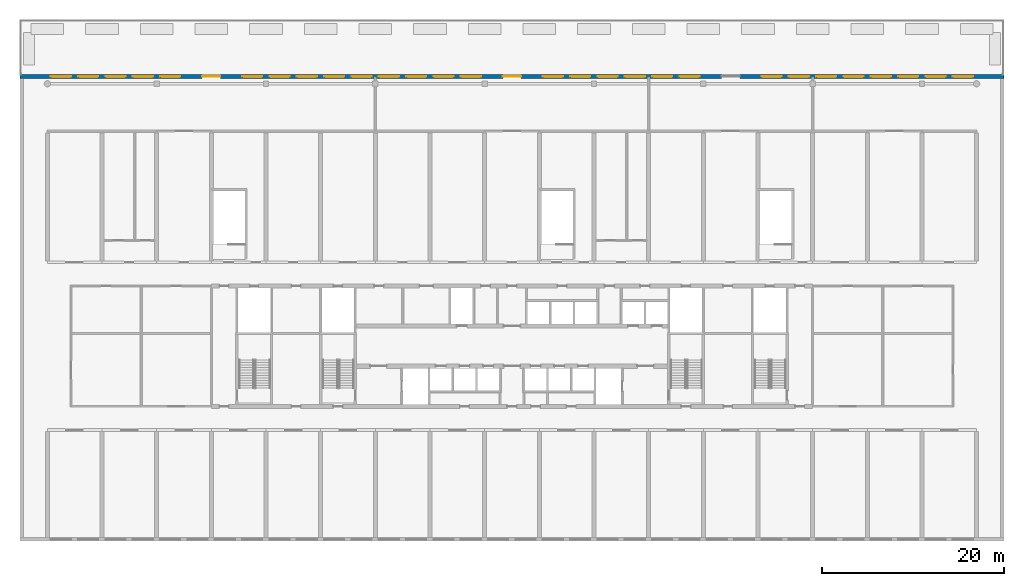
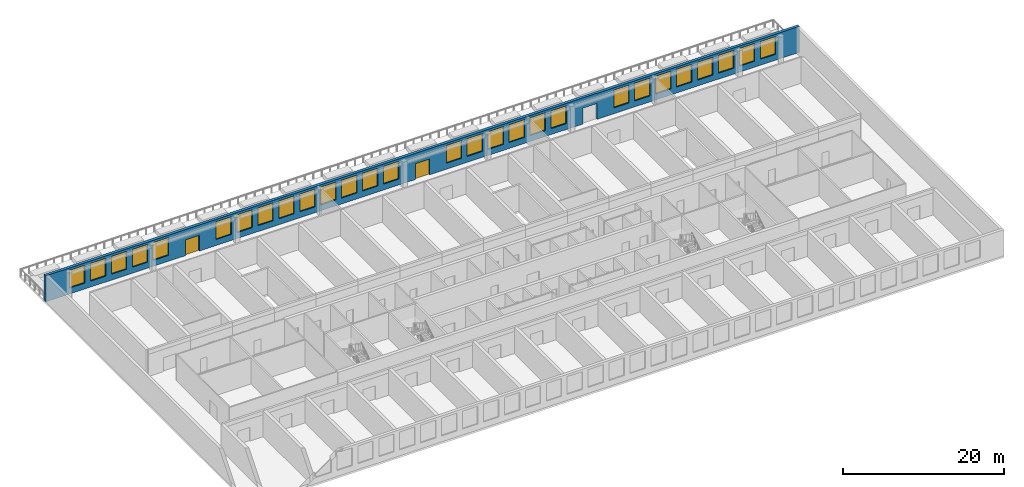
# One storey, part 8 of 15: 28 windows, 2 doors, 1 wall, 31 openings.
"""IFC4 building model written with IfcOpenShell, lengths in metres."""

from ifc_helpers import new_model, si_unit, direction, frame, frame_2d, origin, place, context, subcontext, project, spatial, rectangle, extrude, material, layer, layer_set, type_object, element, fill, save


model = new_model("IFC4")

# Units and contexts
model_context = context("Model", 3, precision=1e-05, world=origin(), true_north=direction((0.0, 1.0)))
body_context = subcontext(model_context, "Body", "Model", "MODEL_VIEW")
ifc_project = project(units=[si_unit("LENGTHUNIT", "METRE"), si_unit("AREAUNIT", "SQUARE_METRE"), si_unit("VOLUMEUNIT", "CUBIC_METRE"), si_unit("PLANEANGLEUNIT", "RADIAN"), si_unit("MASSUNIT", "GRAM", prefix="KILO")], contexts=[model_context])

# Site, building, storey
site_placement = place(None, origin())
site = spatial("IfcSite", under=ifc_project, at=site_placement, CompositionType="ELEMENT")
building_placement = place(site_placement, origin())
building = spatial("IfcBuilding", under=site, at=building_placement, Name="Poui Terraces", CompositionType="ELEMENT")
storey_placement = place(building_placement, frame((0.0, 0.0, 19.199951171875)))
storey = spatial("IfcBuildingStorey", under=building, at=storey_placement, Name="L04", CompositionType="ELEMENT", Elevation=19.199951171875)

# Wall, openings, doors, windows
ifc_material_1 = material(Name="Precast concrete 40 MPa", Category="concrete")
ifc_layer = layer(ifc_material_1, 0.39990234375)
ifc_layer_set = layer_set([ifc_layer], Name="Precast concrete 40 MPa")
wall_type = type_object("IfcWallType", Name="EXTERNAL WALL 400", PredefinedType="STANDARD", material=ifc_layer_set)
wall_placement = place(storey_placement, frame((105.0, 50.800048828125, 0.0), z_axis=(0.0, 0.0, 1.0), x_axis=(-1.0, 0.0, 0.0)))
wall = element("IfcWall", 1, at=wall_placement, inside=storey, type_object=wall_type, Name="EXTERNAL WALL N", PredefinedType="STANDARD", context=body_context, shape_type="SweptSolid", body=[
    extrude(rectangle(XDim=108.0, YDim=0.39990234375, at=frame_2d((54.0, 0.0))), origin(), (0.0, 0.0, 1.0), 3.949951171875),
])
opening_1_placement = place(wall_placement, frame((102.39990234375, 0.0, 0.89990234375)))
opening_1 = element("IfcOpeningElement", 2, at=opening_1_placement, cuts=wall, Name="Opening W4", PredefinedType="OPENING", context=body_context, shape_type="SweptSolid", body=[
    extrude(rectangle(XDim=2.199951171875, YDim=2.699951171875, at=frame_2d((1.10009765625, 1.35009765625))), frame((0.0, 0.2099609375, 0.0), z_axis=(0.0, -1.0, 0.0), x_axis=(1.0, 0.0, 0.0)), (0.0, 0.0, 1.0), 0.419921875),
])
opening_2_placement = place(wall_placement, frame((99.39990234375, 0.0, 0.89990234375)))
opening_2 = element("IfcOpeningElement", 3, at=opening_2_placement, cuts=wall, Name="Opening W4", PredefinedType="OPENING", context=body_context, shape_type="SweptSolid", body=[
    extrude(rectangle(XDim=2.199951171875, YDim=2.699951171875, at=frame_2d((1.10009765625, 1.35009765625))), frame((0.0, 0.2099609375, 0.0), z_axis=(0.0, -1.0, 0.0), x_axis=(1.0, 0.0, 0.0)), (0.0, 0.0, 1.0), 0.419921875),
])
opening_3_placement = place(wall_placement, frame((96.39990234375, 0.0, 0.89990234375)))
opening_3 = element("IfcOpeningElement", 4, at=opening_3_placement, cuts=wall, Name="Opening W4", PredefinedType="OPENING", context=body_context, shape_type="SweptSolid", body=[
    extrude(rectangle(XDim=2.199951171875, YDim=2.699951171875, at=frame_2d((1.10009765625, 1.35009765625))), frame((0.0, 0.2099609375, 0.0), z_axis=(0.0, -1.0, 0.0), x_axis=(1.0, 0.0, 0.0)), (0.0, 0.0, 1.0), 0.419921875),
])
opening_4_placement = place(wall_placement, frame((93.39990234375, 0.0, 0.89990234375)))
opening_4 = element("IfcOpeningElement", 5, at=opening_4_placement, cuts=wall, Name="Opening W4", PredefinedType="OPENING", context=body_context, shape_type="SweptSolid", body=[
    extrude(rectangle(XDim=2.199951171875, YDim=2.699951171875, at=frame_2d((1.10009765625, 1.35009765625))), frame((0.0, 0.2099609375, 0.0), z_axis=(0.0, -1.0, 0.0), x_axis=(1.0, 0.0, 0.0)), (0.0, 0.0, 1.0), 0.419921875),
])
opening_5_placement = place(wall_placement, frame((90.39990234375, 0.0, 0.89990234375)))
opening_5 = element("IfcOpeningElement", 6, at=opening_5_placement, cuts=wall, Name="Opening W4", PredefinedType="OPENING", context=body_context, shape_type="SweptSolid", body=[
    extrude(rectangle(XDim=2.199951171875, YDim=2.699951171875, at=frame_2d((1.10009765625, 1.35009765625))), frame((0.0, 0.2099609375, 0.0), z_axis=(0.0, -1.0, 0.0), x_axis=(1.0, 0.0, 0.0)), (0.0, 0.0, 1.0), 0.419921875),
])
opening_6_placement = place(wall_placement, frame((81.39990234375, 0.0, 0.89990234375)))
opening_6 = element("IfcOpeningElement", 7, at=opening_6_placement, cuts=wall, Name="Opening W4", PredefinedType="OPENING", context=body_context, shape_type="SweptSolid", body=[
    extrude(rectangle(XDim=2.199951171875, YDim=2.699951171875, at=frame_2d((1.10009765625, 1.35009765625))), frame((0.0, 0.2099609375, 0.0), z_axis=(0.0, -1.0, 0.0), x_axis=(1.0, 0.0, 0.0)), (0.0, 0.0, 1.0), 0.419921875),
])
opening_7_placement = place(wall_placement, frame((78.39990234375, 0.0, 0.89990234375)))
opening_7 = element("IfcOpeningElement", 8, at=opening_7_placement, cuts=wall, Name="Opening W4", PredefinedType="OPENING", context=body_context, shape_type="SweptSolid", body=[
    extrude(rectangle(XDim=2.199951171875, YDim=2.699951171875, at=frame_2d((1.10009765625, 1.35009765625))), frame((0.0, 0.2099609375, 0.0), z_axis=(0.0, -1.0, 0.0), x_axis=(1.0, 0.0, 0.0)), (0.0, 0.0, 1.0), 0.419921875),
])
opening_8_placement = place(wall_placement, frame((75.39990234375, 0.0, 0.89990234375)))
opening_8 = element("IfcOpeningElement", 9, at=opening_8_placement, cuts=wall, Name="Opening W4", PredefinedType="OPENING", context=body_context, shape_type="SweptSolid", body=[
    extrude(rectangle(XDim=2.199951171875, YDim=2.699951171875, at=frame_2d((1.10009765625, 1.35009765625))), frame((0.0, 0.2099609375, 0.0), z_axis=(0.0, -1.0, 0.0), x_axis=(1.0, 0.0, 0.0)), (0.0, 0.0, 1.0), 0.419921875),
])
opening_9_placement = place(wall_placement, frame((72.39990234375, 0.0, 0.89990234375)))
opening_9 = element("IfcOpeningElement", 10, at=opening_9_placement, cuts=wall, Name="Opening W4", PredefinedType="OPENING", context=body_context, shape_type="SweptSolid", body=[
    extrude(rectangle(XDim=2.199951171875, YDim=2.699951171875, at=frame_2d((1.10009765625, 1.35009765625))), frame((0.0, 0.2099609375, 0.0), z_axis=(0.0, -1.0, 0.0), x_axis=(1.0, 0.0, 0.0)), (0.0, 0.0, 1.0), 0.419921875),
])
opening_10_placement = place(wall_placement, frame((69.39990234375, 0.0, 0.89990234375)))
opening_10 = element("IfcOpeningElement", 11, at=opening_10_placement, cuts=wall, Name="Opening W4", PredefinedType="OPENING", context=body_context, shape_type="SweptSolid", body=[
    extrude(rectangle(XDim=2.199951171875, YDim=2.699951171875, at=frame_2d((1.10009765625, 1.35009765625))), frame((0.0, 0.2099609375, 0.0), z_axis=(0.0, -1.0, 0.0), x_axis=(1.0, 0.0, 0.0)), (0.0, 0.0, 1.0), 0.419921875),
])
opening_11_placement = place(wall_placement, frame((66.39990234375, 0.0, 0.89990234375)))
opening_11 = element("IfcOpeningElement", 12, at=opening_11_placement, cuts=wall, Name="Opening W4", PredefinedType="OPENING", context=body_context, shape_type="SweptSolid", body=[
    extrude(rectangle(XDim=2.199951171875, YDim=2.699951171875, at=frame_2d((1.10009765625, 1.35009765625))), frame((0.0, 0.2099609375, 0.0), z_axis=(0.0, -1.0, 0.0), x_axis=(1.0, 0.0, 0.0)), (0.0, 0.0, 1.0), 0.419921875),
])
opening_12_placement = place(wall_placement, frame((63.39990234375, 0.0, 0.89990234375)))
opening_12 = element("IfcOpeningElement", 13, at=opening_12_placement, cuts=wall, Name="Opening W4", PredefinedType="OPENING", context=body_context, shape_type="SweptSolid", body=[
    extrude(rectangle(XDim=2.199951171875, YDim=2.699951171875, at=frame_2d((1.10009765625, 1.35009765625))), frame((0.0, 0.2099609375, 0.0), z_axis=(0.0, -1.0, 0.0), x_axis=(1.0, 0.0, 0.0)), (0.0, 0.0, 1.0), 0.419921875),
])
opening_13_placement = place(wall_placement, frame((60.39990234375, 0.0, 0.89990234375)))
opening_13 = element("IfcOpeningElement", 14, at=opening_13_placement, cuts=wall, Name="Opening W4", PredefinedType="OPENING", context=body_context, shape_type="SweptSolid", body=[
    extrude(rectangle(XDim=2.199951171875, YDim=2.699951171875, at=frame_2d((1.10009765625, 1.35009765625))), frame((0.0, 0.2099609375, 0.0), z_axis=(0.0, -1.0, 0.0), x_axis=(1.0, 0.0, 0.0)), (0.0, 0.0, 1.0), 0.419921875),
])
opening_14_placement = place(wall_placement, frame((57.39990234375, 0.0, 0.89990234375)))
opening_14 = element("IfcOpeningElement", 15, at=opening_14_placement, cuts=wall, Name="Opening W4", PredefinedType="OPENING", context=body_context, shape_type="SweptSolid", body=[
    extrude(rectangle(XDim=2.199951171875, YDim=2.699951171875, at=frame_2d((1.10009765625, 1.35009765625))), frame((0.0, 0.2099609375, 0.0), z_axis=(0.0, -1.0, 0.0), x_axis=(1.0, 0.0, 0.0)), (0.0, 0.0, 1.0), 0.419921875),
])
opening_15_placement = place(wall_placement, frame((48.39990234375, 0.0, 0.89990234375)))
opening_15 = element("IfcOpeningElement", 16, at=opening_15_placement, cuts=wall, Name="Opening W4", PredefinedType="OPENING", context=body_context, shape_type="SweptSolid", body=[
    extrude(rectangle(XDim=2.199951171875, YDim=2.699951171875, at=frame_2d((1.10009765625, 1.35009765625))), frame((0.0, 0.2099609375, 0.0), z_axis=(0.0, -1.0, 0.0), x_axis=(1.0, 0.0, 0.0)), (0.0, 0.0, 1.0), 0.419921875),
])
opening_16_placement = place(wall_placement, frame((45.39990234375, 0.0, 0.89990234375)))
opening_16 = element("IfcOpeningElement", 17, at=opening_16_placement, cuts=wall, Name="Opening W4", PredefinedType="OPENING", context=body_context, shape_type="SweptSolid", body=[
    extrude(rectangle(XDim=2.199951171875, YDim=2.699951171875, at=frame_2d((1.10009765625, 1.35009765625))), frame((0.0, 0.2099609375, 0.0), z_axis=(0.0, -1.0, 0.0), x_axis=(1.0, 0.0, 0.0)), (0.0, 0.0, 1.0), 0.419921875),
])
opening_17_placement = place(wall_placement, frame((42.39990234375, 0.0, 0.89990234375)))
opening_17 = element("IfcOpeningElement", 18, at=opening_17_placement, cuts=wall, Name="Opening W4", PredefinedType="OPENING", context=body_context, shape_type="SweptSolid", body=[
    extrude(rectangle(XDim=2.199951171875, YDim=2.699951171875, at=frame_2d((1.10009765625, 1.35009765625))), frame((0.0, 0.2099609375, 0.0), z_axis=(0.0, -1.0, 0.0), x_axis=(1.0, 0.0, 0.0)), (0.0, 0.0, 1.0), 0.419921875),
])
opening_18_placement = place(wall_placement, frame((39.39990234375, 0.0, 0.89990234375)))
opening_18 = element("IfcOpeningElement", 19, at=opening_18_placement, cuts=wall, Name="Opening W4", PredefinedType="OPENING", context=body_context, shape_type="SweptSolid", body=[
    extrude(rectangle(XDim=2.199951171875, YDim=2.699951171875, at=frame_2d((1.10009765625, 1.35009765625))), frame((0.0, 0.2099609375, 0.0), z_axis=(0.0, -1.0, 0.0), x_axis=(1.0, 0.0, 0.0)), (0.0, 0.0, 1.0), 0.419921875),
])
opening_19_placement = place(wall_placement, frame((36.39990234375, 0.0, 0.89990234375)))
opening_19 = element("IfcOpeningElement", 20, at=opening_19_placement, cuts=wall, Name="Opening W4", PredefinedType="OPENING", context=body_context, shape_type="SweptSolid", body=[
    extrude(rectangle(XDim=2.199951171875, YDim=2.699951171875, at=frame_2d((1.10009765625, 1.35009765625))), frame((0.0, 0.2099609375, 0.0), z_axis=(0.0, -1.0, 0.0), x_axis=(1.0, 0.0, 0.0)), (0.0, 0.0, 1.0), 0.419921875),
])
opening_20_placement = place(wall_placement, frame((33.39990234375, 0.0, 0.89990234375)))
opening_20 = element("IfcOpeningElement", 21, at=opening_20_placement, cuts=wall, Name="Opening W4", PredefinedType="OPENING", context=body_context, shape_type="SweptSolid", body=[
    extrude(rectangle(XDim=2.199951171875, YDim=2.699951171875, at=frame_2d((1.10009765625, 1.35009765625))), frame((0.0, 0.2099609375, 0.0), z_axis=(0.0, -1.0, 0.0), x_axis=(1.0, 0.0, 0.0)), (0.0, 0.0, 1.0), 0.419921875),
])
opening_21_placement = place(wall_placement, frame((24.39990234375, 0.0, 0.89990234375)))
opening_21 = element("IfcOpeningElement", 22, at=opening_21_placement, cuts=wall, Name="Opening W4", PredefinedType="OPENING", context=body_context, shape_type="SweptSolid", body=[
    extrude(rectangle(XDim=2.199951171875, YDim=2.699951171875, at=frame_2d((1.10009765625, 1.35009765625))), frame((0.0, 0.2099609375, 0.0), z_axis=(0.0, -1.0, 0.0), x_axis=(1.0, 0.0, 0.0)), (0.0, 0.0, 1.0), 0.419921875),
])
opening_22_placement = place(wall_placement, frame((21.39990234375, 0.0, 0.89990234375)))
opening_22 = element("IfcOpeningElement", 23, at=opening_22_placement, cuts=wall, Name="Opening W4", PredefinedType="OPENING", context=body_context, shape_type="SweptSolid", body=[
    extrude(rectangle(XDim=2.199951171875, YDim=2.699951171875, at=frame_2d((1.10009765625, 1.35009765625))), frame((0.0, 0.2099609375, 0.0), z_axis=(0.0, -1.0, 0.0), x_axis=(1.0, 0.0, 0.0)), (0.0, 0.0, 1.0), 0.419921875),
])
opening_23_placement = place(wall_placement, frame((18.39990234375, 0.0, 0.89990234375)))
opening_23 = element("IfcOpeningElement", 24, at=opening_23_placement, cuts=wall, Name="Opening W4", PredefinedType="OPENING", context=body_context, shape_type="SweptSolid", body=[
    extrude(rectangle(XDim=2.199951171875, YDim=2.699951171875, at=frame_2d((1.10009765625, 1.35009765625))), frame((0.0, 0.2099609375, 0.0), z_axis=(0.0, -1.0, 0.0), x_axis=(1.0, 0.0, 0.0)), (0.0, 0.0, 1.0), 0.419921875),
])
opening_24_placement = place(wall_placement, frame((15.39990234375, 0.0, 0.89990234375)))
opening_24 = element("IfcOpeningElement", 25, at=opening_24_placement, cuts=wall, Name="Opening W4", PredefinedType="OPENING", context=body_context, shape_type="SweptSolid", body=[
    extrude(rectangle(XDim=2.199951171875, YDim=2.699951171875, at=frame_2d((1.10009765625, 1.35009765625))), frame((0.0, 0.2099609375, 0.0), z_axis=(0.0, -1.0, 0.0), x_axis=(1.0, 0.0, 0.0)), (0.0, 0.0, 1.0), 0.419921875),
])
opening_25_placement = place(wall_placement, frame((12.39990234375, 0.0, 0.89990234375)))
opening_25 = element("IfcOpeningElement", 26, at=opening_25_placement, cuts=wall, Name="Opening W4", PredefinedType="OPENING", context=body_context, shape_type="SweptSolid", body=[
    extrude(rectangle(XDim=2.199951171875, YDim=2.699951171875, at=frame_2d((1.10009765625, 1.35009765625))), frame((0.0, 0.2099609375, 0.0), z_axis=(0.0, -1.0, 0.0), x_axis=(1.0, 0.0, 0.0)), (0.0, 0.0, 1.0), 0.419921875),
])
opening_26_placement = place(wall_placement, frame((9.39990234375, 0.0, 0.89990234375)))
opening_26 = element("IfcOpeningElement", 27, at=opening_26_placement, cuts=wall, Name="Opening W4", PredefinedType="OPENING", context=body_context, shape_type="SweptSolid", body=[
    extrude(rectangle(XDim=2.199951171875, YDim=2.699951171875, at=frame_2d((1.10009765625, 1.35009765625))), frame((0.0, 0.2099609375, 0.0), z_axis=(0.0, -1.0, 0.0), x_axis=(1.0, 0.0, 0.0)), (0.0, 0.0, 1.0), 0.419921875),
])
opening_27_placement = place(wall_placement, frame((6.39990234375, 0.0, 0.89990234375)))
opening_27 = element("IfcOpeningElement", 28, at=opening_27_placement, cuts=wall, Name="Opening W4", PredefinedType="OPENING", context=body_context, shape_type="SweptSolid", body=[
    extrude(rectangle(XDim=2.199951171875, YDim=2.699951171875, at=frame_2d((1.10009765625, 1.35009765625))), frame((0.0, 0.2099609375, 0.0), z_axis=(0.0, -1.0, 0.0), x_axis=(1.0, 0.0, 0.0)), (0.0, 0.0, 1.0), 0.419921875),
])
opening_28_placement = place(wall_placement, frame((3.39990234375, 0.0, 0.89990234375)))
opening_28 = element("IfcOpeningElement", 29, at=opening_28_placement, cuts=wall, Name="Opening W4", PredefinedType="OPENING", context=body_context, shape_type="SweptSolid", body=[
    extrude(rectangle(XDim=2.199951171875, YDim=2.699951171875, at=frame_2d((1.10009765625, 1.35009765625))), frame((0.0, 0.2099609375, 0.0), z_axis=(0.0, -1.0, 0.0), x_axis=(1.0, 0.0, 0.0)), (0.0, 0.0, 1.0), 0.419921875),
])
opening_29_placement = place(wall_placement, frame((86.0, 0.0, 0.0)))
opening_29 = element("IfcOpeningElement", 30, at=opening_29_placement, cuts=wall, Name="Opening XDD200", PredefinedType="OPENING", context=body_context, shape_type="SweptSolid", body=[
    extrude(rectangle(XDim=2.0, YDim=2.39990234375, at=frame_2d((1.0, 1.199951171875))), frame((0.0, 0.2099609375, 0.0), z_axis=(0.0, -1.0, 0.0), x_axis=(1.0, 0.0, 0.0)), (0.0, 0.0, 1.0), 0.419921875),
])
opening_30_placement = place(wall_placement, frame((53.0, 0.0, 0.0)))
opening_30 = element("IfcOpeningElement", 31, at=opening_30_placement, cuts=wall, Name="Opening XDD200", PredefinedType="OPENING", context=body_context, shape_type="SweptSolid", body=[
    extrude(rectangle(XDim=2.0, YDim=2.39990234375, at=frame_2d((1.0, 1.199951171875))), frame((0.0, 0.2099609375, 0.0), z_axis=(0.0, -1.0, 0.0), x_axis=(1.0, 0.0, 0.0)), (0.0, 0.0, 1.0), 0.419921875),
])
opening_31_placement = place(wall_placement, frame((29.0, 0.0, 0.0)))
element("IfcOpeningElement", 32, at=opening_31_placement, cuts=wall, Name="Opening XDD200", PredefinedType="OPENING", context=body_context, shape_type="SweptSolid", body=[
    extrude(rectangle(XDim=2.0, YDim=2.39990234375, at=frame_2d((1.0, 1.199951171875))), frame((0.0, 0.2099609375, 0.0), z_axis=(0.0, -1.0, 0.0), x_axis=(1.0, 0.0, 0.0)), (0.0, 0.0, 1.0), 0.419921875),
])
ifc_material_2 = material(Name="Aluminium glazed door", Category="aluminium")
door_type = type_object("IfcDoorType", Name="EXTERNAL DOUBLE DOOR 2000 X 2400", OperationType="DOUBLE_DOOR_SINGLE_SWING", PredefinedType="DOOR", material=ifc_material_2)
door_1_placement = place(opening_29_placement, frame((2.0, 0.0, 0.0), z_axis=(0.0, 0.0, 1.0), x_axis=(-1.0, 0.0, 0.0)))
door_1 = element("IfcDoor", 33, at=door_1_placement, inside=storey, type_object=door_type, Name="EXTERNAL DOUBLE DOOR 079", OperationType="DOUBLE_DOOR_SINGLE_SWING", OverallHeight=2.39990234375, OverallWidth=2.0, PredefinedType="DOOR", context=body_context, shape_type="SweptSolid", body=[
    extrude(rectangle(XDim=2.0, YDim=2.39990234375, at=frame_2d((1.0, 1.199951171875))), frame((0.0, 0.02490234375, 0.0), z_axis=(0.0, -1.0, 0.0), x_axis=(1.0, 0.0, 0.0)), (0.0, 0.0, 1.0), 0.050048828125),
])
fill(opening_29, door_1)
door_2_placement = place(opening_30_placement, frame((2.0, 0.0, 0.0), z_axis=(0.0, 0.0, 1.0), x_axis=(-1.0, 0.0, 0.0)))
door_2 = element("IfcDoor", 34, at=door_2_placement, inside=storey, type_object=door_type, Name="EXTERNAL DOUBLE DOOR 080", OperationType="DOUBLE_DOOR_SINGLE_SWING", OverallHeight=2.39990234375, OverallWidth=2.0, PredefinedType="DOOR", context=body_context, shape_type="SweptSolid", body=[
    extrude(rectangle(XDim=2.0, YDim=2.39990234375, at=frame_2d((1.0, 1.199951171875))), frame((0.0, 0.02490234375, 0.0), z_axis=(0.0, -1.0, 0.0), x_axis=(1.0, 0.0, 0.0)), (0.0, 0.0, 1.0), 0.050048828125),
])
fill(opening_30, door_2)
ifc_material_3 = material(Name="Clear glass in aluminium frame", Category="aluminium")
window_type = type_object("IfcWindowType", Name="WINDOW 2200X2700", PartitioningType="DOUBLE_PANEL_HORIZONTAL", PredefinedType="WINDOW", material=ifc_material_3)
window_1_placement = place(opening_1_placement, origin())
window_1 = element("IfcWindow", 35, at=window_1_placement, inside=storey, type_object=window_type, Name="W4 WINDOW", OverallHeight=2.699951171875, OverallWidth=2.199951171875, PartitioningType="DOUBLE_PANEL_HORIZONTAL", PredefinedType="WINDOW", context=body_context, shape_type="SweptSolid", body=[
    extrude(rectangle(XDim=2.199951171875, YDim=2.699951171875, at=frame_2d((1.10009765625, 1.35009765625))), frame((0.0, 0.030029296875, 0.0), z_axis=(0.0, -1.0, 0.0), x_axis=(1.0, 0.0, 0.0)), (0.0, 0.0, 1.0), 0.06005859375),
])
fill(opening_1, window_1)
window_2_placement = place(opening_2_placement, origin())
window_2 = element("IfcWindow", 36, at=window_2_placement, inside=storey, type_object=window_type, Name="W4 WINDOW", OverallHeight=2.699951171875, OverallWidth=2.199951171875, PartitioningType="DOUBLE_PANEL_HORIZONTAL", PredefinedType="WINDOW", context=body_context, shape_type="SweptSolid", body=[
    extrude(rectangle(XDim=2.199951171875, YDim=2.699951171875, at=frame_2d((1.10009765625, 1.35009765625))), frame((0.0, 0.030029296875, 0.0), z_axis=(0.0, -1.0, 0.0), x_axis=(1.0, 0.0, 0.0)), (0.0, 0.0, 1.0), 0.06005859375),
])
fill(opening_2, window_2)
window_3_placement = place(opening_3_placement, origin())
window_3 = element("IfcWindow", 37, at=window_3_placement, inside=storey, type_object=window_type, Name="W4 WINDOW", OverallHeight=2.699951171875, OverallWidth=2.199951171875, PartitioningType="DOUBLE_PANEL_HORIZONTAL", PredefinedType="WINDOW", context=body_context, shape_type="SweptSolid", body=[
    extrude(rectangle(XDim=2.199951171875, YDim=2.699951171875, at=frame_2d((1.10009765625, 1.35009765625))), frame((0.0, 0.030029296875, 0.0), z_axis=(0.0, -1.0, 0.0), x_axis=(1.0, 0.0, 0.0)), (0.0, 0.0, 1.0), 0.06005859375),
])
fill(opening_3, window_3)
window_4_placement = place(opening_4_placement, origin())
window_4 = element("IfcWindow", 38, at=window_4_placement, inside=storey, type_object=window_type, Name="W4 WINDOW", OverallHeight=2.699951171875, OverallWidth=2.199951171875, PartitioningType="DOUBLE_PANEL_HORIZONTAL", PredefinedType="WINDOW", context=body_context, shape_type="SweptSolid", body=[
    extrude(rectangle(XDim=2.199951171875, YDim=2.699951171875, at=frame_2d((1.10009765625, 1.35009765625))), frame((0.0, 0.030029296875, 0.0), z_axis=(0.0, -1.0, 0.0), x_axis=(1.0, 0.0, 0.0)), (0.0, 0.0, 1.0), 0.06005859375),
])
fill(opening_4, window_4)
window_5_placement = place(opening_5_placement, origin())
window_5 = element("IfcWindow", 39, at=window_5_placement, inside=storey, type_object=window_type, Name="W4 WINDOW", OverallHeight=2.699951171875, OverallWidth=2.199951171875, PartitioningType="DOUBLE_PANEL_HORIZONTAL", PredefinedType="WINDOW", context=body_context, shape_type="SweptSolid", body=[
    extrude(rectangle(XDim=2.199951171875, YDim=2.699951171875, at=frame_2d((1.10009765625, 1.35009765625))), frame((0.0, 0.030029296875, 0.0), z_axis=(0.0, -1.0, 0.0), x_axis=(1.0, 0.0, 0.0)), (0.0, 0.0, 1.0), 0.06005859375),
])
fill(opening_5, window_5)
window_6_placement = place(opening_6_placement, origin())
window_6 = element("IfcWindow", 40, at=window_6_placement, inside=storey, type_object=window_type, Name="W4 WINDOW", OverallHeight=2.699951171875, OverallWidth=2.199951171875, PartitioningType="DOUBLE_PANEL_HORIZONTAL", PredefinedType="WINDOW", context=body_context, shape_type="SweptSolid", body=[
    extrude(rectangle(XDim=2.199951171875, YDim=2.699951171875, at=frame_2d((1.10009765625, 1.35009765625))), frame((0.0, 0.030029296875, 0.0), z_axis=(0.0, -1.0, 0.0), x_axis=(1.0, 0.0, 0.0)), (0.0, 0.0, 1.0), 0.06005859375),
])
fill(opening_6, window_6)
window_7_placement = place(opening_7_placement, origin())
window_7 = element("IfcWindow", 41, at=window_7_placement, inside=storey, type_object=window_type, Name="W4 WINDOW", OverallHeight=2.699951171875, OverallWidth=2.199951171875, PartitioningType="DOUBLE_PANEL_HORIZONTAL", PredefinedType="WINDOW", context=body_context, shape_type="SweptSolid", body=[
    extrude(rectangle(XDim=2.199951171875, YDim=2.699951171875, at=frame_2d((1.10009765625, 1.35009765625))), frame((0.0, 0.030029296875, 0.0), z_axis=(0.0, -1.0, 0.0), x_axis=(1.0, 0.0, 0.0)), (0.0, 0.0, 1.0), 0.06005859375),
])
fill(opening_7, window_7)
window_8_placement = place(opening_8_placement, origin())
window_8 = element("IfcWindow", 42, at=window_8_placement, inside=storey, type_object=window_type, Name="W4 WINDOW", OverallHeight=2.699951171875, OverallWidth=2.199951171875, PartitioningType="DOUBLE_PANEL_HORIZONTAL", PredefinedType="WINDOW", context=body_context, shape_type="SweptSolid", body=[
    extrude(rectangle(XDim=2.199951171875, YDim=2.699951171875, at=frame_2d((1.10009765625, 1.35009765625))), frame((0.0, 0.030029296875, 0.0), z_axis=(0.0, -1.0, 0.0), x_axis=(1.0, 0.0, 0.0)), (0.0, 0.0, 1.0), 0.06005859375),
])
fill(opening_8, window_8)
window_9_placement = place(opening_9_placement, origin())
window_9 = element("IfcWindow", 43, at=window_9_placement, inside=storey, type_object=window_type, Name="W4 WINDOW", OverallHeight=2.699951171875, OverallWidth=2.199951171875, PartitioningType="DOUBLE_PANEL_HORIZONTAL", PredefinedType="WINDOW", context=body_context, shape_type="SweptSolid", body=[
    extrude(rectangle(XDim=2.199951171875, YDim=2.699951171875, at=frame_2d((1.10009765625, 1.35009765625))), frame((0.0, 0.030029296875, 0.0), z_axis=(0.0, -1.0, 0.0), x_axis=(1.0, 0.0, 0.0)), (0.0, 0.0, 1.0), 0.06005859375),
])
fill(opening_9, window_9)
window_10_placement = place(opening_10_placement, origin())
window_10 = element("IfcWindow", 44, at=window_10_placement, inside=storey, type_object=window_type, Name="W4 WINDOW", OverallHeight=2.699951171875, OverallWidth=2.199951171875, PartitioningType="DOUBLE_PANEL_HORIZONTAL", PredefinedType="WINDOW", context=body_context, shape_type="SweptSolid", body=[
    extrude(rectangle(XDim=2.199951171875, YDim=2.699951171875, at=frame_2d((1.10009765625, 1.35009765625))), frame((0.0, 0.030029296875, 0.0), z_axis=(0.0, -1.0, 0.0), x_axis=(1.0, 0.0, 0.0)), (0.0, 0.0, 1.0), 0.06005859375),
])
fill(opening_10, window_10)
window_11_placement = place(opening_11_placement, origin())
window_11 = element("IfcWindow", 45, at=window_11_placement, inside=storey, type_object=window_type, Name="W4 WINDOW", OverallHeight=2.699951171875, OverallWidth=2.199951171875, PartitioningType="DOUBLE_PANEL_HORIZONTAL", PredefinedType="WINDOW", context=body_context, shape_type="SweptSolid", body=[
    extrude(rectangle(XDim=2.199951171875, YDim=2.699951171875, at=frame_2d((1.10009765625, 1.35009765625))), frame((0.0, 0.030029296875, 0.0), z_axis=(0.0, -1.0, 0.0), x_axis=(1.0, 0.0, 0.0)), (0.0, 0.0, 1.0), 0.06005859375),
])
fill(opening_11, window_11)
window_12_placement = place(opening_12_placement, origin())
window_12 = element("IfcWindow", 46, at=window_12_placement, inside=storey, type_object=window_type, Name="W4 WINDOW", OverallHeight=2.699951171875, OverallWidth=2.199951171875, PartitioningType="DOUBLE_PANEL_HORIZONTAL", PredefinedType="WINDOW", context=body_context, shape_type="SweptSolid", body=[
    extrude(rectangle(XDim=2.199951171875, YDim=2.699951171875, at=frame_2d((1.10009765625, 1.35009765625))), frame((0.0, 0.030029296875, 0.0), z_axis=(0.0, -1.0, 0.0), x_axis=(1.0, 0.0, 0.0)), (0.0, 0.0, 1.0), 0.06005859375),
])
fill(opening_12, window_12)
window_13_placement = place(opening_13_placement, origin())
window_13 = element("IfcWindow", 47, at=window_13_placement, inside=storey, type_object=window_type, Name="W4 WINDOW", OverallHeight=2.699951171875, OverallWidth=2.199951171875, PartitioningType="DOUBLE_PANEL_HORIZONTAL", PredefinedType="WINDOW", context=body_context, shape_type="SweptSolid", body=[
    extrude(rectangle(XDim=2.199951171875, YDim=2.699951171875, at=frame_2d((1.10009765625, 1.35009765625))), frame((0.0, 0.030029296875, 0.0), z_axis=(0.0, -1.0, 0.0), x_axis=(1.0, 0.0, 0.0)), (0.0, 0.0, 1.0), 0.06005859375),
])
fill(opening_13, window_13)
window_14_placement = place(opening_14_placement, origin())
window_14 = element("IfcWindow", 48, at=window_14_placement, inside=storey, type_object=window_type, Name="W4 WINDOW", OverallHeight=2.699951171875, OverallWidth=2.199951171875, PartitioningType="DOUBLE_PANEL_HORIZONTAL", PredefinedType="WINDOW", context=body_context, shape_type="SweptSolid", body=[
    extrude(rectangle(XDim=2.199951171875, YDim=2.699951171875, at=frame_2d((1.10009765625, 1.35009765625))), frame((0.0, 0.030029296875, 0.0), z_axis=(0.0, -1.0, 0.0), x_axis=(1.0, 0.0, 0.0)), (0.0, 0.0, 1.0), 0.06005859375),
])
fill(opening_14, window_14)
window_15_placement = place(opening_15_placement, origin())
window_15 = element("IfcWindow", 49, at=window_15_placement, inside=storey, type_object=window_type, Name="W4 WINDOW", OverallHeight=2.699951171875, OverallWidth=2.199951171875, PartitioningType="DOUBLE_PANEL_HORIZONTAL", PredefinedType="WINDOW", context=body_context, shape_type="SweptSolid", body=[
    extrude(rectangle(XDim=2.199951171875, YDim=2.699951171875, at=frame_2d((1.10009765625, 1.35009765625))), frame((0.0, 0.030029296875, 0.0), z_axis=(0.0, -1.0, 0.0), x_axis=(1.0, 0.0, 0.0)), (0.0, 0.0, 1.0), 0.06005859375),
])
fill(opening_15, window_15)
window_16_placement = place(opening_16_placement, origin())
window_16 = element("IfcWindow", 50, at=window_16_placement, inside=storey, type_object=window_type, Name="W4 WINDOW", OverallHeight=2.699951171875, OverallWidth=2.199951171875, PartitioningType="DOUBLE_PANEL_HORIZONTAL", PredefinedType="WINDOW", context=body_context, shape_type="SweptSolid", body=[
    extrude(rectangle(XDim=2.199951171875, YDim=2.699951171875, at=frame_2d((1.10009765625, 1.35009765625))), frame((0.0, 0.030029296875, 0.0), z_axis=(0.0, -1.0, 0.0), x_axis=(1.0, 0.0, 0.0)), (0.0, 0.0, 1.0), 0.06005859375),
])
fill(opening_16, window_16)
window_17_placement = place(opening_17_placement, origin())
window_17 = element("IfcWindow", 51, at=window_17_placement, inside=storey, type_object=window_type, Name="W4 WINDOW", OverallHeight=2.699951171875, OverallWidth=2.199951171875, PartitioningType="DOUBLE_PANEL_HORIZONTAL", PredefinedType="WINDOW", context=body_context, shape_type="SweptSolid", body=[
    extrude(rectangle(XDim=2.199951171875, YDim=2.699951171875, at=frame_2d((1.10009765625, 1.35009765625))), frame((0.0, 0.030029296875, 0.0), z_axis=(0.0, -1.0, 0.0), x_axis=(1.0, 0.0, 0.0)), (0.0, 0.0, 1.0), 0.06005859375),
])
fill(opening_17, window_17)
window_18_placement = place(opening_18_placement, origin())
window_18 = element("IfcWindow", 52, at=window_18_placement, inside=storey, type_object=window_type, Name="W4 WINDOW", OverallHeight=2.699951171875, OverallWidth=2.199951171875, PartitioningType="DOUBLE_PANEL_HORIZONTAL", PredefinedType="WINDOW", context=body_context, shape_type="SweptSolid", body=[
    extrude(rectangle(XDim=2.199951171875, YDim=2.699951171875, at=frame_2d((1.10009765625, 1.35009765625))), frame((0.0, 0.030029296875, 0.0), z_axis=(0.0, -1.0, 0.0), x_axis=(1.0, 0.0, 0.0)), (0.0, 0.0, 1.0), 0.06005859375),
])
fill(opening_18, window_18)
window_19_placement = place(opening_19_placement, origin())
window_19 = element("IfcWindow", 53, at=window_19_placement, inside=storey, type_object=window_type, Name="W4 WINDOW", OverallHeight=2.699951171875, OverallWidth=2.199951171875, PartitioningType="DOUBLE_PANEL_HORIZONTAL", PredefinedType="WINDOW", context=body_context, shape_type="SweptSolid", body=[
    extrude(rectangle(XDim=2.199951171875, YDim=2.699951171875, at=frame_2d((1.10009765625, 1.35009765625))), frame((0.0, 0.030029296875, 0.0), z_axis=(0.0, -1.0, 0.0), x_axis=(1.0, 0.0, 0.0)), (0.0, 0.0, 1.0), 0.06005859375),
])
fill(opening_19, window_19)
window_20_placement = place(opening_20_placement, origin())
window_20 = element("IfcWindow", 54, at=window_20_placement, inside=storey, type_object=window_type, Name="W4 WINDOW", OverallHeight=2.699951171875, OverallWidth=2.199951171875, PartitioningType="DOUBLE_PANEL_HORIZONTAL", PredefinedType="WINDOW", context=body_context, shape_type="SweptSolid", body=[
    extrude(rectangle(XDim=2.199951171875, YDim=2.699951171875, at=frame_2d((1.10009765625, 1.35009765625))), frame((0.0, 0.030029296875, 0.0), z_axis=(0.0, -1.0, 0.0), x_axis=(1.0, 0.0, 0.0)), (0.0, 0.0, 1.0), 0.06005859375),
])
fill(opening_20, window_20)
window_21_placement = place(opening_21_placement, origin())
window_21 = element("IfcWindow", 55, at=window_21_placement, inside=storey, type_object=window_type, Name="W4 WINDOW", OverallHeight=2.699951171875, OverallWidth=2.199951171875, PartitioningType="DOUBLE_PANEL_HORIZONTAL", PredefinedType="WINDOW", context=body_context, shape_type="SweptSolid", body=[
    extrude(rectangle(XDim=2.199951171875, YDim=2.699951171875, at=frame_2d((1.10009765625, 1.35009765625))), frame((0.0, 0.030029296875, 0.0), z_axis=(0.0, -1.0, 0.0), x_axis=(1.0, 0.0, 0.0)), (0.0, 0.0, 1.0), 0.06005859375),
])
fill(opening_21, window_21)
window_22_placement = place(opening_22_placement, origin())
window_22 = element("IfcWindow", 56, at=window_22_placement, inside=storey, type_object=window_type, Name="W4 WINDOW", OverallHeight=2.699951171875, OverallWidth=2.199951171875, PartitioningType="DOUBLE_PANEL_HORIZONTAL", PredefinedType="WINDOW", context=body_context, shape_type="SweptSolid", body=[
    extrude(rectangle(XDim=2.199951171875, YDim=2.699951171875, at=frame_2d((1.10009765625, 1.35009765625))), frame((0.0, 0.030029296875, 0.0), z_axis=(0.0, -1.0, 0.0), x_axis=(1.0, 0.0, 0.0)), (0.0, 0.0, 1.0), 0.06005859375),
])
fill(opening_22, window_22)
window_23_placement = place(opening_23_placement, origin())
window_23 = element("IfcWindow", 57, at=window_23_placement, inside=storey, type_object=window_type, Name="W4 WINDOW", OverallHeight=2.699951171875, OverallWidth=2.199951171875, PartitioningType="DOUBLE_PANEL_HORIZONTAL", PredefinedType="WINDOW", context=body_context, shape_type="SweptSolid", body=[
    extrude(rectangle(XDim=2.199951171875, YDim=2.699951171875, at=frame_2d((1.10009765625, 1.35009765625))), frame((0.0, 0.030029296875, 0.0), z_axis=(0.0, -1.0, 0.0), x_axis=(1.0, 0.0, 0.0)), (0.0, 0.0, 1.0), 0.06005859375),
])
fill(opening_23, window_23)
window_24_placement = place(opening_24_placement, origin())
window_24 = element("IfcWindow", 58, at=window_24_placement, inside=storey, type_object=window_type, Name="W4 WINDOW", OverallHeight=2.699951171875, OverallWidth=2.199951171875, PartitioningType="DOUBLE_PANEL_HORIZONTAL", PredefinedType="WINDOW", context=body_context, shape_type="SweptSolid", body=[
    extrude(rectangle(XDim=2.199951171875, YDim=2.699951171875, at=frame_2d((1.10009765625, 1.35009765625))), frame((0.0, 0.030029296875, 0.0), z_axis=(0.0, -1.0, 0.0), x_axis=(1.0, 0.0, 0.0)), (0.0, 0.0, 1.0), 0.06005859375),
])
fill(opening_24, window_24)
window_25_placement = place(opening_25_placement, origin())
window_25 = element("IfcWindow", 59, at=window_25_placement, inside=storey, type_object=window_type, Name="W4 WINDOW", OverallHeight=2.699951171875, OverallWidth=2.199951171875, PartitioningType="DOUBLE_PANEL_HORIZONTAL", PredefinedType="WINDOW", context=body_context, shape_type="SweptSolid", body=[
    extrude(rectangle(XDim=2.199951171875, YDim=2.699951171875, at=frame_2d((1.10009765625, 1.35009765625))), frame((0.0, 0.030029296875, 0.0), z_axis=(0.0, -1.0, 0.0), x_axis=(1.0, 0.0, 0.0)), (0.0, 0.0, 1.0), 0.06005859375),
])
fill(opening_25, window_25)
window_26_placement = place(opening_26_placement, origin())
window_26 = element("IfcWindow", 60, at=window_26_placement, inside=storey, type_object=window_type, Name="W4 WINDOW", OverallHeight=2.699951171875, OverallWidth=2.199951171875, PartitioningType="DOUBLE_PANEL_HORIZONTAL", PredefinedType="WINDOW", context=body_context, shape_type="SweptSolid", body=[
    extrude(rectangle(XDim=2.199951171875, YDim=2.699951171875, at=frame_2d((1.10009765625, 1.35009765625))), frame((0.0, 0.030029296875, 0.0), z_axis=(0.0, -1.0, 0.0), x_axis=(1.0, 0.0, 0.0)), (0.0, 0.0, 1.0), 0.06005859375),
])
fill(opening_26, window_26)
window_27_placement = place(opening_27_placement, origin())
window_27 = element("IfcWindow", 61, at=window_27_placement, inside=storey, type_object=window_type, Name="W4 WINDOW", OverallHeight=2.699951171875, OverallWidth=2.199951171875, PartitioningType="DOUBLE_PANEL_HORIZONTAL", PredefinedType="WINDOW", context=body_context, shape_type="SweptSolid", body=[
    extrude(rectangle(XDim=2.199951171875, YDim=2.699951171875, at=frame_2d((1.10009765625, 1.35009765625))), frame((0.0, 0.030029296875, 0.0), z_axis=(0.0, -1.0, 0.0), x_axis=(1.0, 0.0, 0.0)), (0.0, 0.0, 1.0), 0.06005859375),
])
fill(opening_27, window_27)
window_28_placement = place(opening_28_placement, origin())
window_28 = element("IfcWindow", 62, at=window_28_placement, inside=storey, type_object=window_type, Name="W4 WINDOW", OverallHeight=2.699951171875, OverallWidth=2.199951171875, PartitioningType="DOUBLE_PANEL_HORIZONTAL", PredefinedType="WINDOW", context=body_context, shape_type="SweptSolid", body=[
    extrude(rectangle(XDim=2.199951171875, YDim=2.699951171875, at=frame_2d((1.10009765625, 1.35009765625))), frame((0.0, 0.030029296875, 0.0), z_axis=(0.0, -1.0, 0.0), x_axis=(1.0, 0.0, 0.0)), (0.0, 0.0, 1.0), 0.06005859375),
])
fill(opening_28, window_28)

save(model, "model.ifc")
